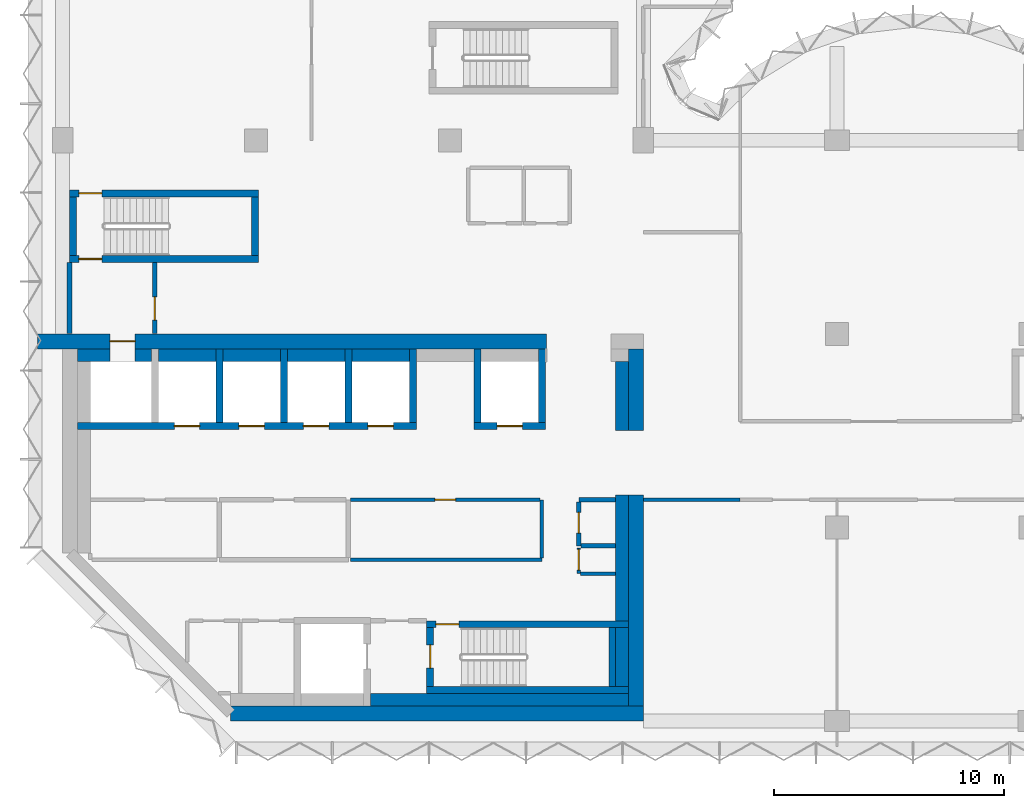
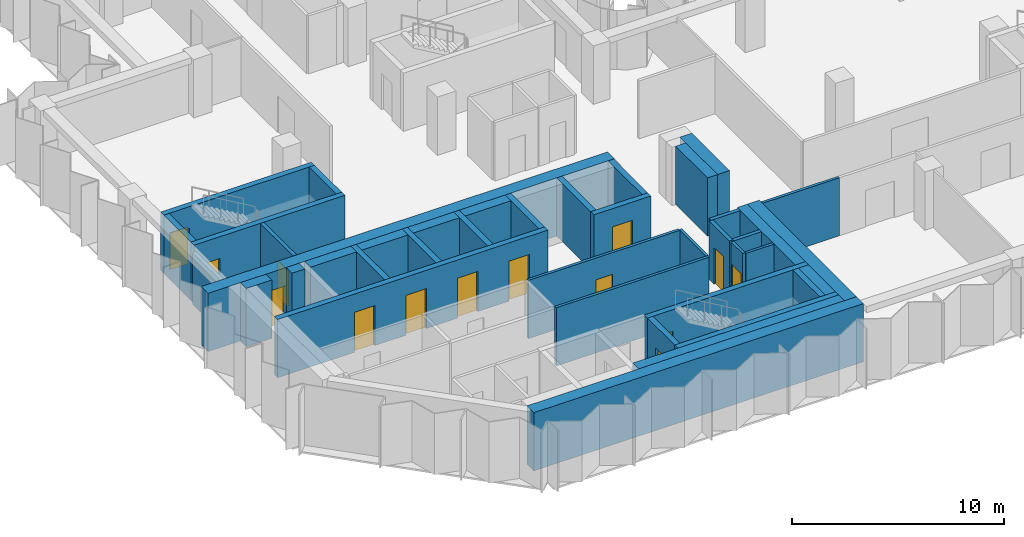
# One storey, part 5 of 9: 41 walls, 14 doors, 14 openings.
"""IFC4 building model written with IfcOpenShell, lengths in metres."""

from ifc_helpers import new_model, si_unit, direction, frame, frame_2d, origin, place, context, subcontext, project, spatial, rectangle, extrude, material, layer, layer_set, type_object, element, fill, save


model = new_model("IFC4")

# Units and contexts
model_context = context("Model", 3, precision=1e-05, world=origin(), true_north=direction((0.0, 1.0)))
body_context = subcontext(model_context, "Body", "Model", "MODEL_VIEW")
ifc_project = project(units=[si_unit("LENGTHUNIT", "METRE"), si_unit("AREAUNIT", "SQUARE_METRE"), si_unit("VOLUMEUNIT", "CUBIC_METRE"), si_unit("PLANEANGLEUNIT", "RADIAN"), si_unit("MASSUNIT", "GRAM", prefix="KILO")], contexts=[model_context])

# Site, building, storey
site_placement = place(None, origin())
site = spatial("IfcSite", under=ifc_project, at=site_placement, CompositionType="ELEMENT")
building_placement = place(site_placement, origin())
building = spatial("IfcBuilding", under=site, at=building_placement, Name="Brevane Broadcast Tower", CompositionType="ELEMENT")
storey_placement = place(building_placement, frame((0.0, 0.0, 188.39990234375)))
storey = spatial("IfcBuildingStorey", under=building, at=storey_placement, Name="L47", CompositionType="ELEMENT", Elevation=188.39990234375)

# Walls
ifc_material_1 = material(Name="Concrete C32/40", Category="concrete")
ifc_layer_1 = layer(ifc_material_1, 0.550048828125)
ifc_layer_set_1 = layer_set([ifc_layer_1], Name="Core chase wall 550 mm")
wall_type_1 = type_object("IfcWallType", Name="Core chase wall 550 mm", PredefinedType="PARTITIONING", material=ifc_layer_set_1)
wall_1_placement = place(storey_placement, frame((24.27490234375, 12.60009765625, 0.0), z_axis=(0.0, 0.0, 1.0), x_axis=(0.0, 1.0, 0.0)))
element("IfcWall", 1, at=wall_1_placement, inside=storey, type_object=wall_type_1, Name="L47 chase wall LE2", PredefinedType="PARTITIONING", context=body_context, shape_type="SweptSolid", body=[
    extrude(rectangle(XDim=3.0, YDim=0.550048828125, at=frame_2d((1.5, 0.0))), origin(), (0.0, 0.0, 1.0), 3.35009765625),
])
wall_2_placement = place(storey_placement, frame((0.64990234375, 15.875, 0.0), z_axis=(0.0, 0.0, 1.0), x_axis=(1.0, 0.0, 0.0)))
element("IfcWall", 2, at=wall_2_placement, inside=storey, type_object=wall_type_1, Name="L47 chase wall LN0", PredefinedType="PARTITIONING", context=body_context, shape_type="SweptSolid", body=[
    extrude(rectangle(XDim=1.400146484375, YDim=0.550048828125, at=frame_2d((0.7001953125, 0.0))), origin(), (0.0, 0.0, 1.0), 3.35009765625),
])
wall_3_placement = place(storey_placement, frame((3.14990234375, 15.875, 0.0), z_axis=(0.0, 0.0, 1.0), x_axis=(1.0, 0.0, 0.0)))
element("IfcWall", 3, at=wall_3_placement, inside=storey, type_object=wall_type_1, Name="L47 chase wall LN1-1", PredefinedType="PARTITIONING", context=body_context, shape_type="SweptSolid", body=[
    extrude(rectangle(XDim=0.7001953125, YDim=0.550048828125, at=frame_2d((0.35009765625, 0.0))), origin(), (0.0, 0.0, 1.0), 3.35009765625),
])
for number, where, z_axis, x_axis, name in (
    (4, (4.14990234375, 15.875, 0.0), (0.0, 0.0, 1.0), (1.0, 0.0, 0.0), "L47 chase wall LN1-2-1"),
    (5, (6.949951171875, 15.875, 0.0), (0.0, 0.0, 1.0), (1.0, 0.0, 0.0), "L47 chase wall LN1-2-2-1"),
    (6, (9.75, 15.875, 0.0), (0.0, 0.0, 1.0), (1.0, 0.0, 0.0), "L47 chase wall LN1-2-2-2-1"),
    (7, (12.550048828125, 15.875, 0.0), (0.0, 0.0, 1.0), (1.0, 0.0, 0.0), "L47 chase wall LN1-2-2-2-2-1"),
):
    element("IfcWall", number, at=place(storey_placement, frame(where, z_axis=z_axis, x_axis=x_axis)), inside=storey, type_object=wall_type_1, Name=name, PredefinedType="PARTITIONING", context=body_context, shape_type="SweptSolid", body=[
        extrude(rectangle(XDim=2.5, YDim=0.550048828125, at=frame_2d((1.25, 0.0))), origin(), (0.0, 0.0, 1.0), 3.35009765625),
    ])
wall_4_placement = place(storey_placement, frame((13.35009765625, 0.925048828125, 0.0), z_axis=(0.0, 0.0, 1.0), x_axis=(1.0, 0.0, 0.0)))
element("IfcWall", 8, at=wall_4_placement, inside=storey, type_object=wall_type_1, Name="L47 chase wall LS-2-2", PredefinedType="PARTITIONING", context=body_context, shape_type="SweptSolid", body=[
    extrude(rectangle(XDim=11.199951171875, YDim=0.550048828125, at=frame_2d((5.60009765625, 0.0))), origin(), (0.0, 0.0, 1.0), 3.35009765625),
])
wall_5_placement = place(storey_placement, frame((24.27490234375, 1.5, 0.0), z_axis=(0.0, 0.0, 1.0), x_axis=(0.0, 1.0, 0.0)))
element("IfcWall", 9, at=wall_5_placement, inside=storey, type_object=wall_type_1, Name="L47 chase wall LE1-2-1", PredefinedType="PARTITIONING", context=body_context, shape_type="SweptSolid", body=[
    extrude(rectangle(XDim=2.550048828125, YDim=0.550048828125, at=frame_2d((1.27490234375, 0.0))), origin(), (0.0, 0.0, 1.0), 3.35009765625),
])
wall_6_placement = place(storey_placement, frame((24.27490234375, 4.35009765625, 0.0), z_axis=(0.0, 0.0, 1.0), x_axis=(0.0, 1.0, 0.0)))
element("IfcWall", 10, at=wall_6_placement, inside=storey, type_object=wall_type_1, Name="L47 chase wall LE1-2-2", PredefinedType="PARTITIONING", context=body_context, shape_type="SweptSolid", body=[
    extrude(rectangle(XDim=5.449951171875, YDim=0.550048828125, at=frame_2d((2.72509765625, 0.0))), origin(), (0.0, 0.0, 1.0), 3.35009765625),
])
ifc_material_2 = material(Name="Gypsum board on steel studs", Category="steel")
ifc_layer_2 = layer(ifc_material_2, 0.14990234375)
ifc_layer_set_2 = layer_set([ifc_layer_2], Name="Core fire partition 150 mm")
wall_type_2 = type_object("IfcWallType", Name="Core fire partition 150 mm", PredefinedType="PARTITIONING", material=ifc_layer_set_2)
wall_7_placement = place(storey_placement, frame((12.5, 7.0, 0.0), z_axis=(0.0, 0.0, 1.0), x_axis=(1.0, 0.0, 0.0)))
element("IfcWall", 11, at=wall_7_placement, inside=storey, type_object=wall_type_2, Name="L47 partition wall P19", PredefinedType="PARTITIONING", context=body_context, shape_type="SweptSolid", body=[
    extrude(rectangle(XDim=8.300048828125, YDim=0.14990234375, at=frame_2d((4.14990234375, 0.0))), origin(), (0.0, 0.0, 1.0), 3.35009765625),
])
wall_8_placement = place(storey_placement, frame((20.800048828125, 7.074951171875, 0.0), z_axis=(0.0, 0.0, 1.0), x_axis=(0.0, 1.0, 0.0)))
element("IfcWall", 12, at=wall_8_placement, inside=storey, type_object=wall_type_2, Name="L47 partition wall P20", PredefinedType="PARTITIONING", context=body_context, shape_type="SweptSolid", body=[
    extrude(rectangle(XDim=2.525146484375, YDim=0.14990234375, at=frame_2d((1.2626953125, 0.0))), origin(), (0.0, 0.0, 1.0), 3.35009765625),
])

# Wall, opening, door
wall_9_placement = place(storey_placement, frame((20.72509765625, 9.60009765625, 0.0), z_axis=(0.0, 0.0, 1.0), x_axis=(-1.0, 0.0, 0.0)))
wall_9 = element("IfcWall", 13, at=wall_9_placement, inside=storey, type_object=wall_type_2, Name="L47 partition wall P21", PredefinedType="PARTITIONING", context=body_context, shape_type="SweptSolid", body=[
    extrude(rectangle(XDim=8.22509765625, YDim=0.14990234375, at=frame_2d((4.112548828125, 0.0))), origin(), (0.0, 0.0, 1.0), 3.35009765625),
])
opening_1_placement = place(wall_9_placement, frame((3.675048828125, 0.0, 0.0)))
opening_1 = element("IfcOpeningElement", 14, at=opening_1_placement, cuts=wall_9, Name="Opening L47-K21", PredefinedType="OPENING", context=body_context, shape_type="SweptSolid", body=[
    extrude(rectangle(XDim=0.89990234375, YDim=2.10009765625, at=frame_2d((0.449951171875, 1.050048828125))), frame((0.0, 0.0849609375, 0.0), z_axis=(0.0, -1.0, 0.0), x_axis=(1.0, 0.0, 0.0)), (0.0, 0.0, 1.0), 0.169921875),
])
ifc_material_3 = material(Name="Steel", Category="steel")
door_type_1 = type_object("IfcDoorType", Name="Service room door 900 x 2100", OperationType="SINGLE_SWING_LEFT", PredefinedType="DOOR", material=ifc_material_3)
door_1_placement = place(opening_1_placement, origin())
door_1 = element("IfcDoor", 15, at=door_1_placement, inside=storey, type_object=door_type_1, Name="Door L47-K21", OperationType="SINGLE_SWING_LEFT", OverallHeight=2.10009765625, OverallWidth=0.89990234375, PredefinedType="DOOR", context=body_context, shape_type="SweptSolid", body=[
    extrude(rectangle(XDim=0.89990234375, YDim=2.10009765625, at=frame_2d((0.449951171875, 1.050048828125))), frame((0.0, 0.02490234375, 0.0), z_axis=(0.0, -1.0, 0.0), x_axis=(1.0, 0.0, 0.0)), (0.0, 0.0, 1.0), 0.050048828125),
])
fill(opening_1, door_1)

wall_10_placement = place(storey_placement, frame((22.39990234375, 7.5, 0.0), z_axis=(0.0, 0.0, 1.0), x_axis=(0.0, -1.0, 0.0)))
wall_10 = element("IfcWall", 16, at=wall_10_placement, inside=storey, type_object=wall_type_2, Name="L47 partition wall P29", PredefinedType="PARTITIONING", context=body_context, shape_type="SweptSolid", body=[
    extrude(rectangle(XDim=1.10009765625, YDim=0.14990234375, at=frame_2d((0.550048828125, 0.0))), origin(), (0.0, 0.0, 1.0), 3.35009765625),
])
opening_2_placement = place(wall_10_placement, frame((0.050048828125, 0.0, 0.0)))
opening_2 = element("IfcOpeningElement", 17, at=opening_2_placement, cuts=wall_10, Name="Opening L47-K17", PredefinedType="OPENING", context=body_context, shape_type="SweptSolid", body=[
    extrude(rectangle(XDim=0.89990234375, YDim=2.10009765625, at=frame_2d((0.449951171875, 1.050048828125))), frame((0.0, 0.0849609375, 0.0), z_axis=(0.0, -1.0, 0.0), x_axis=(1.0, 0.0, 0.0)), (0.0, 0.0, 1.0), 0.169921875),
])
door_2_placement = place(opening_2_placement, origin())
door_2 = element("IfcDoor", 18, at=door_2_placement, inside=storey, type_object=door_type_1, Name="Door L47-K17", OperationType="SINGLE_SWING_LEFT", OverallHeight=2.10009765625, OverallWidth=0.89990234375, PredefinedType="DOOR", context=body_context, shape_type="SweptSolid", body=[
    extrude(rectangle(XDim=0.89990234375, YDim=2.10009765625, at=frame_2d((0.449951171875, 1.050048828125))), frame((0.0, 0.02490234375, 0.0), z_axis=(0.0, -1.0, 0.0), x_axis=(1.0, 0.0, 0.0)), (0.0, 0.0, 1.0), 0.050048828125),
])
fill(opening_2, door_2)

# Walls
wall_11_placement = place(storey_placement, frame((22.47509765625, 6.39990234375, 0.0), z_axis=(0.0, 0.0, 1.0), x_axis=(1.0, 0.0, 0.0)))
element("IfcWall", 19, at=wall_11_placement, inside=storey, type_object=wall_type_2, Name="L47 partition wall P30", PredefinedType="PARTITIONING", context=body_context, shape_type="SweptSolid", body=[
    extrude(rectangle(XDim=1.512939453125, YDim=0.14990234375, at=frame_2d((0.75634765625, 0.0))), origin(), (0.0, 0.0, 1.0), 3.35009765625),
])
ifc_layer_3 = layer(ifc_material_2, 0.199951171875)
ifc_layer_set_3 = layer_set([ifc_layer_3], Name="Core fire partition 200 mm")
wall_type_3 = type_object("IfcWallType", Name="Core fire partition 200 mm", PredefinedType="PARTITIONING", material=ifc_layer_set_3)
wall_12_placement = place(storey_placement, frame((0.300048828125, 16.81201171875, 0.0), z_axis=(0.0, 0.0, 1.0), x_axis=(0.0, 1.0, 0.0)))
element("IfcWall", 20, at=wall_12_placement, inside=storey, type_object=wall_type_3, Name="L47 partition wall P01", PredefinedType="PARTITIONING", context=body_context, shape_type="SweptSolid", body=[
    extrude(rectangle(XDim=3.075927734375, YDim=0.199951171875, at=frame_2d((1.5380859375, 0.0))), origin(), (0.0, 0.0, 1.0), 2.97998046875),
])

# Wall, opening, door
wall_13_placement = place(storey_placement, frame((4.0, 19.887939453125, 0.0), z_axis=(0.0, 0.0, 1.0), x_axis=(0.0, -1.0, 0.0)))
wall_13 = element("IfcWall", 21, at=wall_13_placement, inside=storey, type_object=wall_type_3, Name="L47 partition wall P02", PredefinedType="PARTITIONING", context=body_context, shape_type="SweptSolid", body=[
    extrude(rectangle(XDim=3.075927734375, YDim=0.199951171875, at=frame_2d((1.5380859375, 0.0))), origin(), (0.0, 0.0, 1.0), 3.35009765625),
])
opening_3_placement = place(wall_13_placement, frame((1.488037109375, 0.0, 0.0)))
opening_3 = element("IfcOpeningElement", 22, at=opening_3_placement, cuts=wall_13, Name="Opening L47-K22", PredefinedType="OPENING", context=body_context, shape_type="SweptSolid", body=[
    extrude(rectangle(XDim=1.0, YDim=2.10009765625, at=frame_2d((0.5, 1.050048828125))), frame((0.0, 0.10986328125, 0.0), z_axis=(0.0, -1.0, 0.0), x_axis=(1.0, 0.0, 0.0)), (0.0, 0.0, 1.0), 0.219970703125),
])
door_type_2 = type_object("IfcDoorType", Name="Stair door 1000 x 2100", OperationType="SINGLE_SWING_LEFT", PredefinedType="DOOR", material=ifc_material_3)
door_3_placement = place(opening_3_placement, origin())
door_3 = element("IfcDoor", 23, at=door_3_placement, inside=storey, type_object=door_type_2, Name="Door L47-K22", OperationType="SINGLE_SWING_RIGHT", OverallHeight=2.10009765625, OverallWidth=1.0, PredefinedType="DOOR", context=body_context, shape_type="SweptSolid", body=[
    extrude(rectangle(XDim=1.0, YDim=2.10009765625, at=frame_2d((0.5, 1.050048828125))), frame((0.0, 0.02490234375, 0.0), z_axis=(0.0, -1.0, 0.0), x_axis=(1.0, 0.0, 0.0)), (0.0, 0.0, 1.0), 0.050048828125),
])
fill(opening_3, door_3)

# Wall
wall_14_placement = place(storey_placement, frame((23.988037109375, 9.60009765625, 0.0), z_axis=(0.0, 0.0, 1.0), x_axis=(-1.0, 0.0, 0.0)))
element("IfcWall", 24, at=wall_14_placement, inside=storey, type_object=wall_type_3, Name="L47 partition wall P04", PredefinedType="PARTITIONING", context=body_context, shape_type="SweptSolid", body=[
    extrude(rectangle(XDim=1.588134765625, YDim=0.199951171875, at=frame_2d((0.7939453125, 0.0))), origin(), (0.0, 0.0, 1.0), 3.35009765625),
])

# Wall, opening, door
wall_15_placement = place(storey_placement, frame((22.39990234375, 9.5, 0.0), z_axis=(0.0, 0.0, 1.0), x_axis=(0.0, -1.0, 0.0)))
wall_15 = element("IfcWall", 25, at=wall_15_placement, inside=storey, type_object=wall_type_3, Name="L47 partition wall P05", PredefinedType="PARTITIONING", context=body_context, shape_type="SweptSolid", body=[
    extrude(rectangle(XDim=1.89990234375, YDim=0.199951171875, at=frame_2d((0.949951171875, 0.0))), origin(), (0.0, 0.0, 1.0), 3.35009765625),
])
opening_4_placement = place(wall_15_placement, frame((0.449951171875, 0.0, 0.0)))
opening_4 = element("IfcOpeningElement", 26, at=opening_4_placement, cuts=wall_15, Name="Opening L47-K18", PredefinedType="OPENING", context=body_context, shape_type="SweptSolid", body=[
    extrude(rectangle(XDim=0.89990234375, YDim=2.10009765625, at=frame_2d((0.449951171875, 1.050048828125))), frame((0.0, 0.10986328125, 0.0), z_axis=(0.0, -1.0, 0.0), x_axis=(1.0, 0.0, 0.0)), (0.0, 0.0, 1.0), 0.219970703125),
])
door_4_placement = place(opening_4_placement, origin())
door_4 = element("IfcDoor", 27, at=door_4_placement, inside=storey, type_object=door_type_1, Name="Door L47-K18", OperationType="SINGLE_SWING_RIGHT", OverallHeight=2.10009765625, OverallWidth=0.89990234375, PredefinedType="DOOR", context=body_context, shape_type="SweptSolid", body=[
    extrude(rectangle(XDim=0.89990234375, YDim=2.10009765625, at=frame_2d((0.449951171875, 1.050048828125))), frame((0.0, 0.02490234375, 0.0), z_axis=(0.0, -1.0, 0.0), x_axis=(1.0, 0.0, 0.0)), (0.0, 0.0, 1.0), 0.050048828125),
])
fill(opening_4, door_4)

# Wall
wall_16_placement = place(storey_placement, frame((22.5, 7.60009765625, 0.0), z_axis=(0.0, 0.0, 1.0), x_axis=(1.0, 0.0, 0.0)))
element("IfcWall", 28, at=wall_16_placement, inside=storey, type_object=wall_type_3, Name="L47 partition wall P06", PredefinedType="PARTITIONING", context=body_context, shape_type="SweptSolid", body=[
    extrude(rectangle(XDim=1.488037109375, YDim=0.199951171875, at=frame_2d((0.744140625, 0.0))), origin(), (0.0, 0.0, 1.0), 3.35009765625),
])

# Wall, openings, doors
ifc_material_4 = material(Name="Concrete C60/75", Category="concrete")
ifc_layer_4 = layer(ifc_material_4, 0.300048828125)
ifc_layer_set_4 = layer_set([ifc_layer_4], Name="Core wall 300 mm C60/75")
wall_type_4 = type_object("IfcWallType", Name="Core wall 300 mm C60/75", PredefinedType="SHEAR", material=ifc_layer_set_4)
wall_17_placement = place(storey_placement, frame((0.64990234375, 12.800048828125, 0.0), z_axis=(0.0, 0.0, 1.0), x_axis=(1.0, 0.0, 0.0)))
wall_17 = element("IfcWall", 29, at=wall_17_placement, inside=storey, type_object=wall_type_4, Name="L47 shaft wall SH-N012-front", PredefinedType="SHEAR", context=body_context, shape_type="SweptSolid", body=[
    extrude(rectangle(XDim=14.7001953125, YDim=0.300048828125, at=frame_2d((7.35009765625, 0.0))), origin(), (0.0, 0.0, 1.0), 3.35009765625),
])
opening_5_placement = place(wall_17_placement, frame((4.199951171875, 0.0, 0.0)))
opening_5 = element("IfcOpeningElement", 30, at=opening_5_placement, cuts=wall_17, Name="Opening LD", PredefinedType="OPENING", context=body_context, shape_type="SweptSolid", body=[
    extrude(rectangle(XDim=1.10009765625, YDim=2.300048828125, at=frame_2d((0.550048828125, 1.14990234375))), frame((0.0, 0.159912109375, 0.0), z_axis=(0.0, -1.0, 0.0), x_axis=(1.0, 0.0, 0.0)), (0.0, 0.0, 1.0), 0.320068359375),
])
opening_6_placement = place(wall_17_placement, frame((7.0, 0.0, 0.0)))
opening_6 = element("IfcOpeningElement", 31, at=opening_6_placement, cuts=wall_17, Name="Opening LD", PredefinedType="OPENING", context=body_context, shape_type="SweptSolid", body=[
    extrude(rectangle(XDim=1.10009765625, YDim=2.300048828125, at=frame_2d((0.550048828125, 1.14990234375))), frame((0.0, 0.159912109375, 0.0), z_axis=(0.0, -1.0, 0.0), x_axis=(1.0, 0.0, 0.0)), (0.0, 0.0, 1.0), 0.320068359375),
])
opening_7_placement = place(wall_17_placement, frame((9.800048828125, 0.0, 0.0)))
opening_7 = element("IfcOpeningElement", 32, at=opening_7_placement, cuts=wall_17, Name="Opening LD", PredefinedType="OPENING", context=body_context, shape_type="SweptSolid", body=[
    extrude(rectangle(XDim=1.10009765625, YDim=2.300048828125, at=frame_2d((0.550048828125, 1.14990234375))), frame((0.0, 0.159912109375, 0.0), z_axis=(0.0, -1.0, 0.0), x_axis=(1.0, 0.0, 0.0)), (0.0, 0.0, 1.0), 0.320068359375),
])
opening_8_placement = place(wall_17_placement, frame((12.60009765625, 0.0, 0.0)))
opening_8 = element("IfcOpeningElement", 33, at=opening_8_placement, cuts=wall_17, Name="Opening LD", PredefinedType="OPENING", context=body_context, shape_type="SweptSolid", body=[
    extrude(rectangle(XDim=1.10009765625, YDim=2.300048828125, at=frame_2d((0.550048828125, 1.14990234375))), frame((0.0, 0.159912109375, 0.0), z_axis=(0.0, -1.0, 0.0), x_axis=(1.0, 0.0, 0.0)), (0.0, 0.0, 1.0), 0.320068359375),
])
ifc_material_5 = material(Name="Stainless steel", Category="steel")
door_type_3 = type_object("IfcDoorType", Name="Lift landing door", OperationType="SLIDING_TO_LEFT", PredefinedType="DOOR", material=ifc_material_5)
door_5_placement = place(opening_5_placement, origin())
door_5 = element("IfcDoor", 34, at=door_5_placement, inside=storey, type_object=door_type_3, Name="Landing door HR1 L47", OperationType="SLIDING_TO_LEFT", OverallHeight=2.300048828125, OverallWidth=1.10009765625, PredefinedType="DOOR", context=body_context, shape_type="SweptSolid", body=[
    extrude(rectangle(XDim=1.10009765625, YDim=2.300048828125, at=frame_2d((0.550048828125, 1.14990234375))), frame((0.0, 0.02490234375, 0.0), z_axis=(0.0, -1.0, 0.0), x_axis=(1.0, 0.0, 0.0)), (0.0, 0.0, 1.0), 0.050048828125),
])
fill(opening_5, door_5)
door_6_placement = place(opening_6_placement, origin())
door_6 = element("IfcDoor", 35, at=door_6_placement, inside=storey, type_object=door_type_3, Name="Landing door HR2 L47", OperationType="SLIDING_TO_LEFT", OverallHeight=2.300048828125, OverallWidth=1.10009765625, PredefinedType="DOOR", context=body_context, shape_type="SweptSolid", body=[
    extrude(rectangle(XDim=1.10009765625, YDim=2.300048828125, at=frame_2d((0.550048828125, 1.14990234375))), frame((0.0, 0.02490234375, 0.0), z_axis=(0.0, -1.0, 0.0), x_axis=(1.0, 0.0, 0.0)), (0.0, 0.0, 1.0), 0.050048828125),
])
fill(opening_6, door_6)
door_7_placement = place(opening_7_placement, origin())
door_7 = element("IfcDoor", 36, at=door_7_placement, inside=storey, type_object=door_type_3, Name="Landing door HR3 L47", OperationType="SLIDING_TO_LEFT", OverallHeight=2.300048828125, OverallWidth=1.10009765625, PredefinedType="DOOR", context=body_context, shape_type="SweptSolid", body=[
    extrude(rectangle(XDim=1.10009765625, YDim=2.300048828125, at=frame_2d((0.550048828125, 1.14990234375))), frame((0.0, 0.02490234375, 0.0), z_axis=(0.0, -1.0, 0.0), x_axis=(1.0, 0.0, 0.0)), (0.0, 0.0, 1.0), 0.050048828125),
])
fill(opening_7, door_7)
door_8_placement = place(opening_8_placement, origin())
door_8 = element("IfcDoor", 37, at=door_8_placement, inside=storey, type_object=door_type_3, Name="Landing door HR4 L47", OperationType="SLIDING_TO_LEFT", OverallHeight=2.300048828125, OverallWidth=1.10009765625, PredefinedType="DOOR", context=body_context, shape_type="SweptSolid", body=[
    extrude(rectangle(XDim=1.10009765625, YDim=2.300048828125, at=frame_2d((0.550048828125, 1.14990234375))), frame((0.0, 0.02490234375, 0.0), z_axis=(0.0, -1.0, 0.0), x_axis=(1.0, 0.0, 0.0)), (0.0, 0.0, 1.0), 0.050048828125),
])
fill(opening_8, door_8)

# Walls
for number, where, z_axis, x_axis, name in (
    (38, (6.800048828125, 12.949951171875, 0.0), (0.0, 0.0, 1.0), (0.0, 1.0, 0.0), "L47 shaft wall SH-N-P068"),
    (39, (9.60009765625, 12.949951171875, 0.0), (0.0, 0.0, 1.0), (0.0, 1.0, 0.0), "L47 shaft wall SH-N-P096"),
    (40, (12.39990234375, 12.949951171875, 0.0), (0.0, 0.0, 1.0), (0.0, 1.0, 0.0), "L47 shaft wall SH-N-P124"),
    (41, (15.199951171875, 12.949951171875, 0.0), (0.0, 0.0, 1.0), (0.0, 1.0, 0.0), "L47 shaft wall SH-N-P152"),
):
    element("IfcWall", number, at=place(storey_placement, frame(where, z_axis=z_axis, x_axis=x_axis)), inside=storey, type_object=wall_type_4, Name=name, PredefinedType="SHEAR", context=body_context, shape_type="SweptSolid", body=[
        extrude(rectangle(XDim=3.199951171875, YDim=0.300048828125, at=frame_2d((1.60009765625, 0.0))), origin(), (0.0, 0.0, 1.0), 3.35009765625),
    ])

# Wall, opening, door
wall_18_placement = place(storey_placement, frame((17.85009765625, 12.800048828125, 0.0), z_axis=(0.0, 0.0, 1.0), x_axis=(1.0, 0.0, 0.0)))
wall_18 = element("IfcWall", 42, at=wall_18_placement, inside=storey, type_object=wall_type_4, Name="L47 shaft wall SH-N180-front", PredefinedType="SHEAR", context=body_context, shape_type="SweptSolid", body=[
    extrude(rectangle(XDim=3.099853515625, YDim=0.300048828125, at=frame_2d((1.5498046875, 0.0))), origin(), (0.0, 0.0, 1.0), 3.35009765625),
])
opening_9_placement = place(wall_18_placement, frame((1.0, 0.0, 0.0)))
opening_9 = element("IfcOpeningElement", 43, at=opening_9_placement, cuts=wall_18, Name="Opening LD", PredefinedType="OPENING", context=body_context, shape_type="SweptSolid", body=[
    extrude(rectangle(XDim=1.10009765625, YDim=2.300048828125, at=frame_2d((0.550048828125, 1.14990234375))), frame((0.0, 0.159912109375, 0.0), z_axis=(0.0, -1.0, 0.0), x_axis=(1.0, 0.0, 0.0)), (0.0, 0.0, 1.0), 0.320068359375),
])
door_9_placement = place(opening_9_placement, origin())
door_9 = element("IfcDoor", 44, at=door_9_placement, inside=storey, type_object=door_type_3, Name="Landing door SL1 L47", OperationType="SLIDING_TO_LEFT", OverallHeight=2.300048828125, OverallWidth=1.10009765625, PredefinedType="DOOR", context=body_context, shape_type="SweptSolid", body=[
    extrude(rectangle(XDim=1.10009765625, YDim=2.300048828125, at=frame_2d((0.550048828125, 1.14990234375))), frame((0.0, 0.02490234375, 0.0), z_axis=(0.0, -1.0, 0.0), x_axis=(1.0, 0.0, 0.0)), (0.0, 0.0, 1.0), 0.050048828125),
])
fill(opening_9, door_9)

# Walls
for number, where, z_axis, x_axis, name in (
    (45, (18.0, 12.949951171875, 0.0), (0.0, 0.0, 1.0), (0.0, 1.0, 0.0), "L47 shaft wall SH-N-P180"),
    (46, (20.800048828125, 12.949951171875, 0.0), (0.0, 0.0, 1.0), (0.0, 1.0, 0.0), "L47 shaft wall SH-N-P208"),
):
    element("IfcWall", number, at=place(storey_placement, frame(where, z_axis=z_axis, x_axis=x_axis)), inside=storey, type_object=wall_type_4, Name=name, PredefinedType="SHEAR", context=body_context, shape_type="SweptSolid", body=[
        extrude(rectangle(XDim=3.199951171875, YDim=0.300048828125, at=frame_2d((1.60009765625, 0.0))), origin(), (0.0, 0.0, 1.0), 3.35009765625),
    ])

# Wall, opening, door
wall_19_placement = place(storey_placement, frame((8.5, 20.050048828125, 0.0), z_axis=(0.0, 0.0, 1.0), x_axis=(-1.0, 0.0, 0.0)))
wall_19 = element("IfcWall", 47, at=wall_19_placement, inside=storey, type_object=wall_type_4, Name="L47 stair wall ST-1-S", PredefinedType="SHEAR", context=body_context, shape_type="SweptSolid", body=[
    extrude(rectangle(XDim=8.199951171875, YDim=0.300048828125, at=frame_2d((4.10009765625, 0.0))), origin(), (0.0, 0.0, 1.0), 3.35009765625),
])
opening_10_placement = place(wall_19_placement, frame((6.800048828125, 0.0, 0.0)))
opening_10 = element("IfcOpeningElement", 48, at=opening_10_placement, cuts=wall_19, Name="Opening L47-K08", PredefinedType="OPENING", context=body_context, shape_type="SweptSolid", body=[
    extrude(rectangle(XDim=1.0, YDim=2.10009765625, at=frame_2d((0.5, 1.050048828125))), frame((0.0, 0.159912109375, 0.0), z_axis=(0.0, -1.0, 0.0), x_axis=(1.0, 0.0, 0.0)), (0.0, 0.0, 1.0), 0.320068359375),
])
door_10_placement = place(opening_10_placement, origin())
door_10 = element("IfcDoor", 49, at=door_10_placement, inside=storey, type_object=door_type_2, Name="Door L47-K08", OperationType="SINGLE_SWING_RIGHT", OverallHeight=2.10009765625, OverallWidth=1.0, PredefinedType="DOOR", context=body_context, shape_type="SweptSolid", body=[
    extrude(rectangle(XDim=1.0, YDim=2.10009765625, at=frame_2d((0.5, 1.050048828125))), frame((0.0, 0.02490234375, 0.0), z_axis=(0.0, -1.0, 0.0), x_axis=(1.0, 0.0, 0.0)), (0.0, 0.0, 1.0), 0.050048828125),
])
fill(opening_10, door_10)

wall_20_placement = place(storey_placement, frame((0.300048828125, 22.89990234375, 0.0), z_axis=(0.0, 0.0, 1.0), x_axis=(1.0, 0.0, 0.0)))
wall_20 = element("IfcWall", 50, at=wall_20_placement, inside=storey, type_object=wall_type_4, Name="L47 stair wall ST-1-N", PredefinedType="SHEAR", context=body_context, shape_type="SweptSolid", body=[
    extrude(rectangle(XDim=8.199951171875, YDim=0.300048828125, at=frame_2d((4.10009765625, 0.0))), origin(), (0.0, 0.0, 1.0), 3.35009765625),
])
opening_11_placement = place(wall_20_placement, frame((0.39990234375, 0.0, 0.0)))
opening_11 = element("IfcOpeningElement", 51, at=opening_11_placement, cuts=wall_20, Name="Opening L47-K09", PredefinedType="OPENING", context=body_context, shape_type="SweptSolid", body=[
    extrude(rectangle(XDim=1.0, YDim=2.10009765625, at=frame_2d((0.5, 1.050048828125))), frame((0.0, 0.159912109375, 0.0), z_axis=(0.0, -1.0, 0.0), x_axis=(1.0, 0.0, 0.0)), (0.0, 0.0, 1.0), 0.320068359375),
])
door_11_placement = place(opening_11_placement, origin())
door_11 = element("IfcDoor", 52, at=door_11_placement, inside=storey, type_object=door_type_2, Name="Door L47-K09", OperationType="SINGLE_SWING_LEFT", OverallHeight=2.10009765625, OverallWidth=1.0, PredefinedType="DOOR", context=body_context, shape_type="SweptSolid", body=[
    extrude(rectangle(XDim=1.0, YDim=2.10009765625, at=frame_2d((0.5, 1.050048828125))), frame((0.0, 0.02490234375, 0.0), z_axis=(0.0, -1.0, 0.0), x_axis=(1.0, 0.0, 0.0)), (0.0, 0.0, 1.0), 0.050048828125),
])
fill(opening_11, door_11)

# Walls
for number, where, z_axis, x_axis, name in (
    (53, (0.449951171875, 20.199951171875, 0.0), (0.0, 0.0, 1.0), (0.0, 1.0, 0.0), "L47 stair wall ST-1-W"),
    (54, (8.35009765625, 20.199951171875, 0.0), (0.0, 0.0, 1.0), (0.0, 1.0, 0.0), "L47 stair wall ST-1-E"),
):
    element("IfcWall", number, at=place(storey_placement, frame(where, z_axis=z_axis, x_axis=x_axis)), inside=storey, type_object=wall_type_4, Name=name, PredefinedType="SHEAR", context=body_context, shape_type="SweptSolid", body=[
        extrude(rectangle(XDim=2.550048828125, YDim=0.300048828125, at=frame_2d((1.27490234375, 0.0))), origin(), (0.0, 0.0, 1.0), 3.35009765625),
    ])
wall_21_placement = place(storey_placement, frame((15.800048828125, 1.35009765625, 0.0), z_axis=(0.0, 0.0, 1.0), x_axis=(1.0, 0.0, 0.0)))
element("IfcWall", 55, at=wall_21_placement, inside=storey, type_object=wall_type_4, Name="L47 stair wall ST-2-S", PredefinedType="SHEAR", context=body_context, shape_type="SweptSolid", body=[
    extrude(rectangle(XDim=8.75, YDim=0.300048828125, at=frame_2d((4.375, 0.0))), origin(), (0.0, 0.0, 1.0), 3.35009765625),
])

# Wall, opening, door
wall_22_placement = place(storey_placement, frame((15.800048828125, 4.199951171875, 0.0), z_axis=(0.0, 0.0, 1.0), x_axis=(1.0, 0.0, 0.0)))
wall_22 = element("IfcWall", 56, at=wall_22_placement, inside=storey, type_object=wall_type_4, Name="L47 stair wall ST-2-N", PredefinedType="SHEAR", context=body_context, shape_type="SweptSolid", body=[
    extrude(rectangle(XDim=8.75, YDim=0.300048828125, at=frame_2d((4.375, 0.0))), origin(), (0.0, 0.0, 1.0), 3.35009765625),
])
opening_12_placement = place(wall_22_placement, frame((0.39990234375, 0.0, 0.0)))
opening_12 = element("IfcOpeningElement", 57, at=opening_12_placement, cuts=wall_22, Name="Opening L47-K11", PredefinedType="OPENING", context=body_context, shape_type="SweptSolid", body=[
    extrude(rectangle(XDim=1.0, YDim=2.10009765625, at=frame_2d((0.5, 1.050048828125))), frame((0.0, 0.159912109375, 0.0), z_axis=(0.0, -1.0, 0.0), x_axis=(1.0, 0.0, 0.0)), (0.0, 0.0, 1.0), 0.320068359375),
])
door_12_placement = place(opening_12_placement, origin())
door_12 = element("IfcDoor", 58, at=door_12_placement, inside=storey, type_object=door_type_2, Name="Door L47-K11", OperationType="SINGLE_SWING_LEFT", OverallHeight=2.10009765625, OverallWidth=1.0, PredefinedType="DOOR", context=body_context, shape_type="SweptSolid", body=[
    extrude(rectangle(XDim=1.0, YDim=2.10009765625, at=frame_2d((0.5, 1.050048828125))), frame((0.0, 0.02490234375, 0.0), z_axis=(0.0, -1.0, 0.0), x_axis=(1.0, 0.0, 0.0)), (0.0, 0.0, 1.0), 0.050048828125),
])
fill(opening_12, door_12)

wall_23_placement = place(storey_placement, frame((15.949951171875, 1.5, 0.0), z_axis=(0.0, 0.0, 1.0), x_axis=(0.0, 1.0, 0.0)))
wall_23 = element("IfcWall", 59, at=wall_23_placement, inside=storey, type_object=wall_type_4, Name="L47 stair wall ST-2-W", PredefinedType="SHEAR", context=body_context, shape_type="SweptSolid", body=[
    extrude(rectangle(XDim=2.550048828125, YDim=0.300048828125, at=frame_2d((1.27490234375, 0.0))), origin(), (0.0, 0.0, 1.0), 3.35009765625),
])
opening_13_placement = place(wall_23_placement, frame((0.800048828125, 0.0, 0.0)))
opening_13 = element("IfcOpeningElement", 60, at=opening_13_placement, cuts=wall_23, Name="Opening L47-K10", PredefinedType="OPENING", context=body_context, shape_type="SweptSolid", body=[
    extrude(rectangle(XDim=1.0, YDim=2.10009765625, at=frame_2d((0.5, 1.050048828125))), frame((0.0, 0.159912109375, 0.0), z_axis=(0.0, -1.0, 0.0), x_axis=(1.0, 0.0, 0.0)), (0.0, 0.0, 1.0), 0.320068359375),
])
door_13_placement = place(opening_13_placement, origin())
door_13 = element("IfcDoor", 61, at=door_13_placement, inside=storey, type_object=door_type_2, Name="Door L47-K10", OperationType="SINGLE_SWING_RIGHT", OverallHeight=2.10009765625, OverallWidth=1.0, PredefinedType="DOOR", context=body_context, shape_type="SweptSolid", body=[
    extrude(rectangle(XDim=1.0, YDim=2.10009765625, at=frame_2d((0.5, 1.050048828125))), frame((0.0, 0.02490234375, 0.0), z_axis=(0.0, -1.0, 0.0), x_axis=(1.0, 0.0, 0.0)), (0.0, 0.0, 1.0), 0.050048828125),
])
fill(opening_13, door_13)

# Walls
wall_24_placement = place(storey_placement, frame((23.85009765625, 1.5, 0.0), z_axis=(0.0, 0.0, 1.0), x_axis=(0.0, 1.0, 0.0)))
element("IfcWall", 62, at=wall_24_placement, inside=storey, type_object=wall_type_4, Name="L47 stair wall ST-2-E", PredefinedType="SHEAR", context=body_context, shape_type="SweptSolid", body=[
    extrude(rectangle(XDim=2.550048828125, YDim=0.300048828125, at=frame_2d((1.27490234375, 0.0))), origin(), (0.0, 0.0, 1.0), 3.35009765625),
])
ifc_layer_5 = layer(ifc_material_4, 0.64990234375)
ifc_layer_set_5 = layer_set([ifc_layer_5], Name="Core wall 650 mm C60/75")
wall_type_5 = type_object("IfcWallType", Name="Core wall 650 mm C60/75", PredefinedType="SHEAR", material=ifc_layer_set_5)
wall_25_placement = place(storey_placement, frame((7.286376953125, 0.324951171875, 0.0), z_axis=(0.0, 0.0, 1.0), x_axis=(1.0, 0.0, 0.0)))
element("IfcWall", 63, at=wall_25_placement, inside=storey, type_object=wall_type_5, Name="L47 outer wall WS", PredefinedType="SHEAR", context=body_context, shape_type="SweptSolid", body=[
    extrude(rectangle(XDim=17.91357421875, YDim=0.64990234375, at=frame_2d((8.956787109375, 0.0))), origin(), (0.0, 0.0, 1.0), 3.35009765625),
])

# Wall, opening, door
wall_26_placement = place(storey_placement, frame((-1.10009765625, 16.47509765625, 0.0), z_axis=(0.0, 0.0, 1.0), x_axis=(1.0, 0.0, 0.0)))
wall_26 = element("IfcWall", 64, at=wall_26_placement, inside=storey, type_object=wall_type_5, Name="L47 outer wall WN1", PredefinedType="SHEAR", context=body_context, shape_type="SweptSolid", body=[
    extrude(rectangle(XDim=22.10009765625, YDim=0.64990234375, at=frame_2d((11.050048828125, 0.0))), origin(), (0.0, 0.0, 1.0), 3.35009765625),
])
opening_14_placement = place(wall_26_placement, frame((3.14990234375, 0.0, 0.0)))
opening_14 = element("IfcOpeningElement", 65, at=opening_14_placement, cuts=wall_26, Name="Opening LD", PredefinedType="OPENING", context=body_context, shape_type="SweptSolid", body=[
    extrude(rectangle(XDim=1.10009765625, YDim=2.300048828125, at=frame_2d((0.550048828125, 1.14990234375))), frame((0.0, 0.3349609375, 0.0), z_axis=(0.0, -1.0, 0.0), x_axis=(1.0, 0.0, 0.0)), (0.0, 0.0, 1.0), 0.669921875),
])
door_14_placement = place(opening_14_placement, origin())
door_14 = element("IfcDoor", 66, at=door_14_placement, inside=storey, type_object=door_type_3, Name="Landing door FF1 L47", OperationType="SLIDING_TO_LEFT", OverallHeight=2.300048828125, OverallWidth=1.10009765625, PredefinedType="DOOR", context=body_context, shape_type="SweptSolid", body=[
    extrude(rectangle(XDim=1.10009765625, YDim=2.300048828125, at=frame_2d((0.550048828125, 1.14990234375))), frame((0.0, 0.02490234375, 0.0), z_axis=(0.0, -1.0, 0.0), x_axis=(1.0, 0.0, 0.0)), (0.0, 0.0, 1.0), 0.050048828125),
])
fill(opening_14, door_14)

# Walls
wall_27_placement = place(storey_placement, frame((24.875, 0.64990234375, 0.0), z_axis=(0.0, 0.0, 1.0), x_axis=(0.0, 1.0, 0.0)))
element("IfcWall", 67, at=wall_27_placement, inside=storey, type_object=wall_type_5, Name="L47 outer wall WE1", PredefinedType="SHEAR", context=body_context, shape_type="SweptSolid", body=[
    extrude(rectangle(XDim=9.150146484375, YDim=0.64990234375, at=frame_2d((4.5751953125, 0.0))), origin(), (0.0, 0.0, 1.0), 3.35009765625),
])
wall_28_placement = place(storey_placement, frame((24.875, 12.60009765625, 0.0), z_axis=(0.0, 0.0, 1.0), x_axis=(0.0, 1.0, 0.0)))
element("IfcWall", 68, at=wall_28_placement, inside=storey, type_object=wall_type_5, Name="L47 outer wall WE2", PredefinedType="SHEAR", context=body_context, shape_type="SweptSolid", body=[
    extrude(rectangle(XDim=3.5498046875, YDim=0.64990234375, at=frame_2d((1.77490234375, 0.0))), origin(), (0.0, 0.0, 1.0), 3.35009765625),
])
ifc_material_6 = material(Name="Gypsum board partition")
ifc_layer_6 = layer(ifc_material_6, 0.14990234375)
ifc_layer_set_6 = layer_set([ifc_layer_6], Name="PARTITION 150 EI 60")
wall_type_6 = type_object("IfcWallType", Name="PARTITION 150 EI 60", PredefinedType="PARTITIONING", material=ifc_layer_set_6)
wall_29_placement = place(storey_placement, frame((29.39990234375, 9.60009765625, 0.0), z_axis=(0.0, 0.0, 1.0), x_axis=(-1.0, 0.0, 0.0)))
element("IfcWall", 69, at=wall_29_placement, inside=storey, type_object=wall_type_6, Name="Partition G14-002", PredefinedType="PARTITIONING", context=body_context, shape_type="SweptSolid", body=[
    extrude(rectangle(XDim=4.199951171875, YDim=0.14990234375, at=frame_2d((2.10009765625, 0.0))), origin(), (0.0, 0.0, 1.0), 3.330078125),
])

save(model, "model.ifc")
